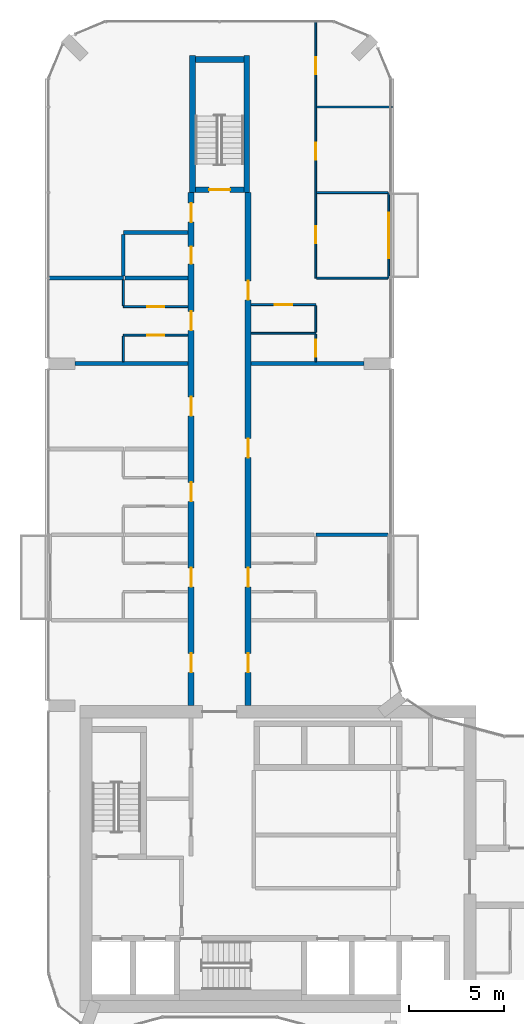
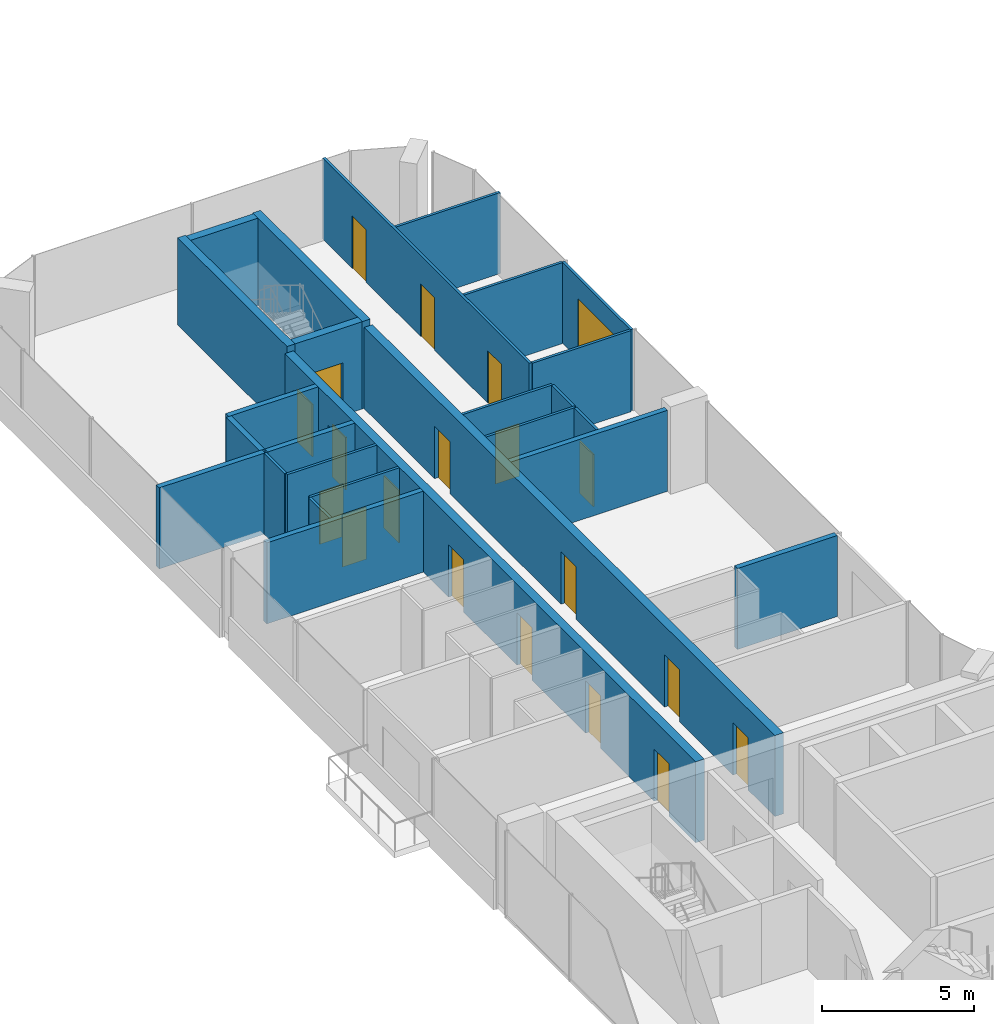
# One storey, part 16 of 22: 26 walls, 20 doors, 20 openings.
"""IFC4 building model written with IfcOpenShell, lengths in metres."""

from ifc_helpers import new_model, si_unit, direction, frame, frame_2d, origin, place, context, subcontext, project, spatial, rectangle, extrude, material, layer, layer_set, type_object, element, fill, save


model = new_model("IFC4")

# Units and contexts
model_context = context("Model", 3, precision=1e-05, world=origin(), true_north=direction((0.0, 1.0)))
body_context = subcontext(model_context, "Body", "Model", "MODEL_VIEW")
ifc_project = project(units=[si_unit("LENGTHUNIT", "METRE"), si_unit("AREAUNIT", "SQUARE_METRE"), si_unit("VOLUMEUNIT", "CUBIC_METRE"), si_unit("PLANEANGLEUNIT", "RADIAN"), si_unit("MASSUNIT", "GRAM", prefix="KILO")], contexts=[model_context])

# Site, building, storey
site_placement = place(None, origin())
site = spatial("IfcSite", under=ifc_project, at=site_placement, CompositionType="ELEMENT")
building_placement = place(site_placement, origin())
building = spatial("IfcBuilding", under=site, at=building_placement, Name="Plateau Cross Towers", CompositionType="ELEMENT")
storey_placement = place(building_placement, frame((0.0, 0.0, 99.300048828125)))
storey = spatial("IfcBuildingStorey", under=building, at=storey_placement, Name="L25", CompositionType="ELEMENT", Elevation=99.300048828125)

# Wall, opening, door
ifc_material_1 = material(Name="Aluminium framed glazing", Category="aluminium")
ifc_layer_1 = layer(ifc_material_1, 0.10009765625)
ifc_layer_set_1 = layer_set([ifc_layer_1], Name="Aluminium framed glazing")
wall_type_1 = type_object("IfcWallType", Name="Balcony screen wall 100", PredefinedType="STANDARD", material=ifc_layer_set_1)
wall_1_placement = place(storey_placement, frame((17.89990234375, 45.0, 0.0), z_axis=(0.0, 0.0, 1.0), x_axis=(0.0, -1.0, 0.0)))
wall_1 = element("IfcWall", 1, at=wall_1_placement, inside=storey, type_object=wall_type_1, Name="Balcony screen wall A-BAL-L25-03", PredefinedType="STANDARD", context=body_context, shape_type="SweptSolid", body=[
    extrude(rectangle(XDim=4.5, YDim=0.10009765625, at=frame_2d((2.25, 0.0))), origin(), (0.0, 0.0, 1.0), 3.25),
])
opening_1_placement = place(wall_1_placement, frame((1.050048828125, 0.0, 0.0)))
opening_1 = element("IfcOpeningElement", 2, at=opening_1_placement, cuts=wall_1, Name="Opening D-B24", PredefinedType="OPENING", context=body_context, shape_type="SweptSolid", body=[
    extrude(rectangle(XDim=2.39990234375, YDim=2.39990234375, at=frame_2d((1.199951171875, 1.199951171875))), frame((0.0, 0.06005859375, 0.0), z_axis=(0.0, -1.0, 0.0), x_axis=(1.0, 0.0, 0.0)), (0.0, 0.0, 1.0), 0.1201171875),
])
ifc_material_2 = material(Name="Aluminium frame, double glazing", Category="aluminium")
door_type_1 = type_object("IfcDoorType", Name="Balcony sliding door 2400", OperationType="NOTDEFINED", PredefinedType="DOOR", material=ifc_material_2)
door_1_placement = place(opening_1_placement, origin())
door_1 = element("IfcDoor", 3, at=door_1_placement, inside=storey, type_object=door_type_1, Name="Balcony door A-BAL-L25-03", OperationType="SINGLE_SWING_LEFT", OverallHeight=2.39990234375, OverallWidth=2.39990234375, PredefinedType="DOOR", context=body_context, shape_type="SweptSolid", body=[
    extrude(rectangle(XDim=2.39990234375, YDim=2.39990234375, at=frame_2d((1.199951171875, 1.199951171875))), frame((0.0, 0.02490234375, 0.0), z_axis=(0.0, -1.0, 0.0), x_axis=(1.0, 0.0, 0.0)), (0.0, 0.0, 1.0), 0.050048828125),
])
fill(opening_1, door_1)

# Wall, openings, doors
ifc_material_3 = material(Name="Concrete C60/75", Category="concrete")
ifc_layer_2 = layer(ifc_material_3, 0.324951171875)
ifc_layer_set_2 = layer_set([ifc_layer_2], Name="Concrete C60/75")
wall_type_2 = type_object("IfcWallType", Name="Corridor wall 325", PredefinedType="SHEAR", material=ifc_layer_set_2)
wall_2_placement = place(storey_placement, frame((7.5, 18.0, 0.0), z_axis=(0.0, 0.0, 1.0), x_axis=(0.0, 1.0, 0.0)))
wall_2 = element("IfcWall", 4, at=wall_2_placement, inside=storey, type_object=wall_type_2, Name="A-cw-W1@L25", PredefinedType="SHEAR", context=body_context, shape_type="SweptSolid", body=[
    extrude(rectangle(XDim=27.0, YDim=0.324951171875, at=frame_2d((13.5, 0.0))), origin(), (0.0, 0.0, 1.0), 3.25),
])
opening_2_placement = place(wall_2_placement, frame((1.75, 0.0, 0.0)))
opening_2 = element("IfcOpeningElement", 5, at=opening_2_placement, cuts=wall_2, Name="Opening 25-10", PredefinedType="OPENING", context=body_context, shape_type="SweptSolid", body=[
    extrude(rectangle(XDim=1.0, YDim=2.10009765625, at=frame_2d((0.5, 1.050048828125))), frame((0.0, 0.17236328125, 0.0), z_axis=(0.0, -1.0, 0.0), x_axis=(1.0, 0.0, 0.0)), (0.0, 0.0, 1.0), 0.344970703125),
])
opening_3_placement = place(wall_2_placement, frame((6.25, 0.0, 0.0)))
opening_3 = element("IfcOpeningElement", 6, at=opening_3_placement, cuts=wall_2, Name="Opening 25-11", PredefinedType="OPENING", context=body_context, shape_type="SweptSolid", body=[
    extrude(rectangle(XDim=1.0, YDim=2.10009765625, at=frame_2d((0.5, 1.050048828125))), frame((0.0, 0.17236328125, 0.0), z_axis=(0.0, -1.0, 0.0), x_axis=(1.0, 0.0, 0.0)), (0.0, 0.0, 1.0), 0.344970703125),
])
opening_4_placement = place(wall_2_placement, frame((10.75, 0.0, 0.0)))
opening_4 = element("IfcOpeningElement", 7, at=opening_4_placement, cuts=wall_2, Name="Opening 25-12", PredefinedType="OPENING", context=body_context, shape_type="SweptSolid", body=[
    extrude(rectangle(XDim=1.0, YDim=2.10009765625, at=frame_2d((0.5, 1.050048828125))), frame((0.0, 0.17236328125, 0.0), z_axis=(0.0, -1.0, 0.0), x_axis=(1.0, 0.0, 0.0)), (0.0, 0.0, 1.0), 0.344970703125),
])
opening_5_placement = place(wall_2_placement, frame((15.25, 0.0, 0.0)))
opening_5 = element("IfcOpeningElement", 8, at=opening_5_placement, cuts=wall_2, Name="Opening 25-13", PredefinedType="OPENING", context=body_context, shape_type="SweptSolid", body=[
    extrude(rectangle(XDim=1.0, YDim=2.10009765625, at=frame_2d((0.5, 1.050048828125))), frame((0.0, 0.17236328125, 0.0), z_axis=(0.0, -1.0, 0.0), x_axis=(1.0, 0.0, 0.0)), (0.0, 0.0, 1.0), 0.344970703125),
])
opening_6_placement = place(wall_2_placement, frame((19.75, 0.0, 0.0)))
opening_6 = element("IfcOpeningElement", 9, at=opening_6_placement, cuts=wall_2, Name="Opening 25-14", PredefinedType="OPENING", context=body_context, shape_type="SweptSolid", body=[
    extrude(rectangle(XDim=1.0, YDim=2.10009765625, at=frame_2d((0.5, 1.050048828125))), frame((0.0, 0.17236328125, 0.0), z_axis=(0.0, -1.0, 0.0), x_axis=(1.0, 0.0, 0.0)), (0.0, 0.0, 1.0), 0.344970703125),
])
opening_7_placement = place(wall_2_placement, frame((23.25, 0.0, 0.0)))
opening_7 = element("IfcOpeningElement", 10, at=opening_7_placement, cuts=wall_2, Name="Opening 25-15", PredefinedType="OPENING", context=body_context, shape_type="SweptSolid", body=[
    extrude(rectangle(XDim=0.89990234375, YDim=2.10009765625, at=frame_2d((0.449951171875, 1.050048828125))), frame((0.0, 0.17236328125, 0.0), z_axis=(0.0, -1.0, 0.0), x_axis=(1.0, 0.0, 0.0)), (0.0, 0.0, 1.0), 0.344970703125),
])
opening_8_placement = place(wall_2_placement, frame((25.449951171875, 0.0, 0.0)))
opening_8 = element("IfcOpeningElement", 11, at=opening_8_placement, cuts=wall_2, Name="Opening 25-16", PredefinedType="OPENING", context=body_context, shape_type="SweptSolid", body=[
    extrude(rectangle(XDim=1.0, YDim=2.10009765625, at=frame_2d((0.5, 1.050048828125))), frame((0.0, 0.17236328125, 0.0), z_axis=(0.0, -1.0, 0.0), x_axis=(1.0, 0.0, 0.0)), (0.0, 0.0, 1.0), 0.344970703125),
])
ifc_material_4 = material(Name="Timber, fire-resisting leaf", Category="wood")
door_type_2 = type_object("IfcDoorType", Name="Flat entrance door 1000", OperationType="NOTDEFINED", PredefinedType="DOOR", material=ifc_material_4)
door_2_placement = place(opening_2_placement, origin())
door_2 = element("IfcDoor", 12, at=door_2_placement, inside=storey, type_object=door_type_2, Name="Door 25-10", OperationType="SINGLE_SWING_LEFT", OverallHeight=2.10009765625, OverallWidth=1.0, PredefinedType="DOOR", context=body_context, shape_type="SweptSolid", body=[
    extrude(rectangle(XDim=1.0, YDim=2.10009765625, at=frame_2d((0.5, 1.050048828125))), frame((0.0, 0.02490234375, 0.0), z_axis=(0.0, -1.0, 0.0), x_axis=(1.0, 0.0, 0.0)), (0.0, 0.0, 1.0), 0.050048828125),
])
fill(opening_2, door_2)
door_3_placement = place(opening_3_placement, origin())
door_3 = element("IfcDoor", 13, at=door_3_placement, inside=storey, type_object=door_type_2, Name="Door 25-11", OperationType="SINGLE_SWING_LEFT", OverallHeight=2.10009765625, OverallWidth=1.0, PredefinedType="DOOR", context=body_context, shape_type="SweptSolid", body=[
    extrude(rectangle(XDim=1.0, YDim=2.10009765625, at=frame_2d((0.5, 1.050048828125))), frame((0.0, 0.02490234375, 0.0), z_axis=(0.0, -1.0, 0.0), x_axis=(1.0, 0.0, 0.0)), (0.0, 0.0, 1.0), 0.050048828125),
])
fill(opening_3, door_3)
door_4_placement = place(opening_4_placement, origin())
door_4 = element("IfcDoor", 14, at=door_4_placement, inside=storey, type_object=door_type_2, Name="Door 25-12", OperationType="SINGLE_SWING_LEFT", OverallHeight=2.10009765625, OverallWidth=1.0, PredefinedType="DOOR", context=body_context, shape_type="SweptSolid", body=[
    extrude(rectangle(XDim=1.0, YDim=2.10009765625, at=frame_2d((0.5, 1.050048828125))), frame((0.0, 0.02490234375, 0.0), z_axis=(0.0, -1.0, 0.0), x_axis=(1.0, 0.0, 0.0)), (0.0, 0.0, 1.0), 0.050048828125),
])
fill(opening_4, door_4)
door_5_placement = place(opening_5_placement, origin())
door_5 = element("IfcDoor", 15, at=door_5_placement, inside=storey, type_object=door_type_2, Name="Door 25-13", OperationType="SINGLE_SWING_RIGHT", OverallHeight=2.10009765625, OverallWidth=1.0, PredefinedType="DOOR", context=body_context, shape_type="SweptSolid", body=[
    extrude(rectangle(XDim=1.0, YDim=2.10009765625, at=frame_2d((0.5, 1.050048828125))), frame((0.0, 0.02490234375, 0.0), z_axis=(0.0, -1.0, 0.0), x_axis=(1.0, 0.0, 0.0)), (0.0, 0.0, 1.0), 0.050048828125),
])
fill(opening_5, door_5)
door_6_placement = place(opening_6_placement, origin())
door_6 = element("IfcDoor", 16, at=door_6_placement, inside=storey, type_object=door_type_2, Name="Door 25-14", OperationType="SINGLE_SWING_RIGHT", OverallHeight=2.10009765625, OverallWidth=1.0, PredefinedType="DOOR", context=body_context, shape_type="SweptSolid", body=[
    extrude(rectangle(XDim=1.0, YDim=2.10009765625, at=frame_2d((0.5, 1.050048828125))), frame((0.0, 0.02490234375, 0.0), z_axis=(0.0, -1.0, 0.0), x_axis=(1.0, 0.0, 0.0)), (0.0, 0.0, 1.0), 0.050048828125),
])
fill(opening_6, door_6)
door_7_placement = place(opening_8_placement, origin())
door_7 = element("IfcDoor", 17, at=door_7_placement, inside=storey, type_object=door_type_2, Name="Door 25-16", OperationType="SINGLE_SWING_RIGHT", OverallHeight=2.10009765625, OverallWidth=1.0, PredefinedType="DOOR", context=body_context, shape_type="SweptSolid", body=[
    extrude(rectangle(XDim=1.0, YDim=2.10009765625, at=frame_2d((0.5, 1.050048828125))), frame((0.0, 0.02490234375, 0.0), z_axis=(0.0, -1.0, 0.0), x_axis=(1.0, 0.0, 0.0)), (0.0, 0.0, 1.0), 0.050048828125),
])
fill(opening_8, door_7)
door_type_3 = type_object("IfcDoorType", Name="Flat floor service door 900", OperationType="NOTDEFINED", PredefinedType="DOOR", material=ifc_material_4)
door_8_placement = place(opening_7_placement, origin())
door_8 = element("IfcDoor", 18, at=door_8_placement, inside=storey, type_object=door_type_3, Name="Door 25-15", OperationType="SINGLE_SWING_RIGHT", OverallHeight=2.10009765625, OverallWidth=0.89990234375, PredefinedType="DOOR", context=body_context, shape_type="SweptSolid", body=[
    extrude(rectangle(XDim=0.89990234375, YDim=2.10009765625, at=frame_2d((0.449951171875, 1.050048828125))), frame((0.0, 0.02490234375, 0.0), z_axis=(0.0, -1.0, 0.0), x_axis=(1.0, 0.0, 0.0)), (0.0, 0.0, 1.0), 0.050048828125),
])
fill(opening_7, door_8)

wall_3_placement = place(storey_placement, frame((10.5, 18.0, 0.0), z_axis=(0.0, 0.0, 1.0), x_axis=(0.0, 1.0, 0.0)))
wall_3 = element("IfcWall", 19, at=wall_3_placement, inside=storey, type_object=wall_type_2, Name="A-cw-W2@L25", PredefinedType="SHEAR", context=body_context, shape_type="SweptSolid", body=[
    extrude(rectangle(XDim=27.0, YDim=0.324951171875, at=frame_2d((13.5, 0.0))), origin(), (0.0, 0.0, 1.0), 3.25),
])
opening_9_placement = place(wall_3_placement, frame((1.75, 0.0, 0.0)))
opening_9 = element("IfcOpeningElement", 20, at=opening_9_placement, cuts=wall_3, Name="Opening 25-17", PredefinedType="OPENING", context=body_context, shape_type="SweptSolid", body=[
    extrude(rectangle(XDim=1.0, YDim=2.10009765625, at=frame_2d((0.5, 1.050048828125))), frame((0.0, 0.17236328125, 0.0), z_axis=(0.0, -1.0, 0.0), x_axis=(1.0, 0.0, 0.0)), (0.0, 0.0, 1.0), 0.344970703125),
])
opening_10_placement = place(wall_3_placement, frame((6.25, 0.0, 0.0)))
opening_10 = element("IfcOpeningElement", 21, at=opening_10_placement, cuts=wall_3, Name="Opening 25-18", PredefinedType="OPENING", context=body_context, shape_type="SweptSolid", body=[
    extrude(rectangle(XDim=1.0, YDim=2.10009765625, at=frame_2d((0.5, 1.050048828125))), frame((0.0, 0.17236328125, 0.0), z_axis=(0.0, -1.0, 0.0), x_axis=(1.0, 0.0, 0.0)), (0.0, 0.0, 1.0), 0.344970703125),
])
opening_11_placement = place(wall_3_placement, frame((13.050048828125, 0.0, 0.0)))
opening_11 = element("IfcOpeningElement", 22, at=opening_11_placement, cuts=wall_3, Name="Opening 25-19", PredefinedType="OPENING", context=body_context, shape_type="SweptSolid", body=[
    extrude(rectangle(XDim=1.0, YDim=2.10009765625, at=frame_2d((0.5, 1.050048828125))), frame((0.0, 0.17236328125, 0.0), z_axis=(0.0, -1.0, 0.0), x_axis=(1.0, 0.0, 0.0)), (0.0, 0.0, 1.0), 0.344970703125),
])
opening_12_placement = place(wall_3_placement, frame((21.35009765625, 0.0, 0.0)))
opening_12 = element("IfcOpeningElement", 23, at=opening_12_placement, cuts=wall_3, Name="Opening 25-20", PredefinedType="OPENING", context=body_context, shape_type="SweptSolid", body=[
    extrude(rectangle(XDim=1.0, YDim=2.10009765625, at=frame_2d((0.5, 1.050048828125))), frame((0.0, 0.17236328125, 0.0), z_axis=(0.0, -1.0, 0.0), x_axis=(1.0, 0.0, 0.0)), (0.0, 0.0, 1.0), 0.344970703125),
])
door_9_placement = place(opening_9_placement, origin())
door_9 = element("IfcDoor", 24, at=door_9_placement, inside=storey, type_object=door_type_2, Name="Door 25-17", OperationType="SINGLE_SWING_LEFT", OverallHeight=2.10009765625, OverallWidth=1.0, PredefinedType="DOOR", context=body_context, shape_type="SweptSolid", body=[
    extrude(rectangle(XDim=1.0, YDim=2.10009765625, at=frame_2d((0.5, 1.050048828125))), frame((0.0, 0.02490234375, 0.0), z_axis=(0.0, -1.0, 0.0), x_axis=(1.0, 0.0, 0.0)), (0.0, 0.0, 1.0), 0.050048828125),
])
fill(opening_9, door_9)
door_10_placement = place(opening_10_placement, origin())
door_10 = element("IfcDoor", 25, at=door_10_placement, inside=storey, type_object=door_type_2, Name="Door 25-18", OperationType="SINGLE_SWING_LEFT", OverallHeight=2.10009765625, OverallWidth=1.0, PredefinedType="DOOR", context=body_context, shape_type="SweptSolid", body=[
    extrude(rectangle(XDim=1.0, YDim=2.10009765625, at=frame_2d((0.5, 1.050048828125))), frame((0.0, 0.02490234375, 0.0), z_axis=(0.0, -1.0, 0.0), x_axis=(1.0, 0.0, 0.0)), (0.0, 0.0, 1.0), 0.050048828125),
])
fill(opening_10, door_10)
door_11_placement = place(opening_11_placement, origin())
door_11 = element("IfcDoor", 26, at=door_11_placement, inside=storey, type_object=door_type_2, Name="Door 25-19", OperationType="SINGLE_SWING_RIGHT", OverallHeight=2.10009765625, OverallWidth=1.0, PredefinedType="DOOR", context=body_context, shape_type="SweptSolid", body=[
    extrude(rectangle(XDim=1.0, YDim=2.10009765625, at=frame_2d((0.5, 1.050048828125))), frame((0.0, 0.02490234375, 0.0), z_axis=(0.0, -1.0, 0.0), x_axis=(1.0, 0.0, 0.0)), (0.0, 0.0, 1.0), 0.050048828125),
])
fill(opening_11, door_11)
door_12_placement = place(opening_12_placement, origin())
door_12 = element("IfcDoor", 27, at=door_12_placement, inside=storey, type_object=door_type_2, Name="Door 25-20", OperationType="SINGLE_SWING_RIGHT", OverallHeight=2.10009765625, OverallWidth=1.0, PredefinedType="DOOR", context=body_context, shape_type="SweptSolid", body=[
    extrude(rectangle(XDim=1.0, YDim=2.10009765625, at=frame_2d((0.5, 1.050048828125))), frame((0.0, 0.02490234375, 0.0), z_axis=(0.0, -1.0, 0.0), x_axis=(1.0, 0.0, 0.0)), (0.0, 0.0, 1.0), 0.050048828125),
])
fill(opening_12, door_12)

# Wall, opening, door
ifc_material_5 = material(Name="Gypsum board on steel studs", Category="steel")
ifc_layer_3 = layer(ifc_material_5, 0.10009765625)
ifc_layer_set_3 = layer_set([ifc_layer_3], Name="Gypsum board on steel studs")
wall_type_3 = type_object("IfcWallType", Name="Flat partition 100", PredefinedType="PARTITIONING", material=ifc_layer_set_3)
wall_4_placement = place(storey_placement, frame((7.33740234375, 37.5, 0.0), z_axis=(0.0, 0.0, 1.0), x_axis=(-1.0, 0.0, 0.0)))
wall_4 = element("IfcWall", 28, at=wall_4_placement, inside=storey, type_object=wall_type_3, Name="Partition wall", PredefinedType="PARTITIONING", context=body_context, shape_type="SweptSolid", body=[
    extrude(rectangle(XDim=3.39990234375, YDim=0.10009765625, at=frame_2d((1.699951171875, 0.0))), origin(), (0.0, 0.0, 1.0), 3.25),
])
opening_13_placement = place(wall_4_placement, frame((1.25, 0.0, 0.0)))
opening_13 = element("IfcOpeningElement", 29, at=opening_13_placement, cuts=wall_4, Name="Opening 25-39", PredefinedType="OPENING", context=body_context, shape_type="SweptSolid", body=[
    extrude(rectangle(XDim=0.89990234375, YDim=2.10009765625, at=frame_2d((0.449951171875, 1.050048828125))), frame((0.0, 0.06005859375, 0.0), z_axis=(0.0, -1.0, 0.0), x_axis=(1.0, 0.0, 0.0)), (0.0, 0.0, 1.0), 0.1201171875),
])
ifc_material_6 = material(Name="Timber leaf", Category="wood")
door_type_4 = type_object("IfcDoorType", Name="Flat room door 900", OperationType="NOTDEFINED", PredefinedType="DOOR", material=ifc_material_6)
door_13_placement = place(opening_13_placement, origin())
door_13 = element("IfcDoor", 30, at=door_13_placement, inside=storey, type_object=door_type_4, Name="Door 25-39", OperationType="SINGLE_SWING_LEFT", OverallHeight=2.10009765625, OverallWidth=0.89990234375, PredefinedType="DOOR", context=body_context, shape_type="SweptSolid", body=[
    extrude(rectangle(XDim=0.89990234375, YDim=2.10009765625, at=frame_2d((0.449951171875, 1.050048828125))), frame((0.0, 0.02490234375, 0.0), z_axis=(0.0, -1.0, 0.0), x_axis=(1.0, 0.0, 0.0)), (0.0, 0.0, 1.0), 0.050048828125),
])
fill(opening_13, door_13)

# Wall
wall_5_placement = place(storey_placement, frame((14.0625, 37.60009765625, 0.0), z_axis=(0.0, 0.0, 1.0), x_axis=(-1.0, 0.0, 0.0)))
element("IfcWall", 31, at=wall_5_placement, inside=storey, type_object=wall_type_3, Name="Partition wall", PredefinedType="PARTITIONING", context=body_context, shape_type="SweptSolid", body=[
    extrude(rectangle(XDim=3.39990234375, YDim=0.10009765625, at=frame_2d((1.699951171875, 0.0))), origin(), (0.0, 0.0, 1.0), 3.25),
])

# Wall, opening, door
wall_6_placement = place(storey_placement, frame((3.9375, 39.0, 0.0), z_axis=(0.0, 0.0, 1.0), x_axis=(1.0, 0.0, 0.0)))
wall_6 = element("IfcWall", 32, at=wall_6_placement, inside=storey, type_object=wall_type_3, Name="Partition wall", PredefinedType="PARTITIONING", context=body_context, shape_type="SweptSolid", body=[
    extrude(rectangle(XDim=3.39990234375, YDim=0.10009765625, at=frame_2d((1.699951171875, 0.0))), origin(), (0.0, 0.0, 1.0), 3.25),
])
opening_14_placement = place(wall_6_placement, frame((1.25, 0.0, 0.0)))
opening_14 = element("IfcOpeningElement", 33, at=opening_14_placement, cuts=wall_6, Name="Opening 25-40", PredefinedType="OPENING", context=body_context, shape_type="SweptSolid", body=[
    extrude(rectangle(XDim=0.89990234375, YDim=2.10009765625, at=frame_2d((0.449951171875, 1.050048828125))), frame((0.0, 0.06005859375, 0.0), z_axis=(0.0, -1.0, 0.0), x_axis=(1.0, 0.0, 0.0)), (0.0, 0.0, 1.0), 0.1201171875),
])
door_14_placement = place(opening_14_placement, origin())
door_14 = element("IfcDoor", 34, at=door_14_placement, inside=storey, type_object=door_type_4, Name="Door 25-40", OperationType="SINGLE_SWING_LEFT", OverallHeight=2.10009765625, OverallWidth=0.89990234375, PredefinedType="DOOR", context=body_context, shape_type="SweptSolid", body=[
    extrude(rectangle(XDim=0.89990234375, YDim=2.10009765625, at=frame_2d((0.449951171875, 1.050048828125))), frame((0.0, 0.02490234375, 0.0), z_axis=(0.0, -1.0, 0.0), x_axis=(1.0, 0.0, 0.0)), (0.0, 0.0, 1.0), 0.050048828125),
])
fill(opening_14, door_14)

wall_7_placement = place(storey_placement, frame((14.0625, 39.10009765625, 0.0), z_axis=(0.0, 0.0, 1.0), x_axis=(-1.0, 0.0, 0.0)))
wall_7 = element("IfcWall", 35, at=wall_7_placement, inside=storey, type_object=wall_type_3, Name="Partition wall", PredefinedType="PARTITIONING", context=body_context, shape_type="SweptSolid", body=[
    extrude(rectangle(XDim=3.39990234375, YDim=0.10009765625, at=frame_2d((1.699951171875, 0.0))), origin(), (0.0, 0.0, 1.0), 3.25),
])
opening_15_placement = place(wall_7_placement, frame((1.25, 0.0, 0.0)))
opening_15 = element("IfcOpeningElement", 36, at=opening_15_placement, cuts=wall_7, Name="Opening 25-44", PredefinedType="OPENING", context=body_context, shape_type="SweptSolid", body=[
    extrude(rectangle(XDim=0.89990234375, YDim=2.10009765625, at=frame_2d((0.449951171875, 1.050048828125))), frame((0.0, 0.06005859375, 0.0), z_axis=(0.0, -1.0, 0.0), x_axis=(1.0, 0.0, 0.0)), (0.0, 0.0, 1.0), 0.1201171875),
])
door_15_placement = place(opening_15_placement, origin())
door_15 = element("IfcDoor", 37, at=door_15_placement, inside=storey, type_object=door_type_4, Name="Door 25-44", OperationType="SINGLE_SWING_LEFT", OverallHeight=2.10009765625, OverallWidth=0.89990234375, PredefinedType="DOOR", context=body_context, shape_type="SweptSolid", body=[
    extrude(rectangle(XDim=0.89990234375, YDim=2.10009765625, at=frame_2d((0.449951171875, 1.050048828125))), frame((0.0, 0.02490234375, 0.0), z_axis=(0.0, -1.0, 0.0), x_axis=(1.0, 0.0, 0.0)), (0.0, 0.0, 1.0), 0.050048828125),
])
fill(opening_15, door_15)

# Walls
for number, where, z_axis, x_axis, name in (
    (38, (14.112548828125, 40.5, 0.0), (0.0, 0.0, 1.0), (1.0, 0.0, 0.0), "Partition wall"),
    (39, (17.85009765625, 45.0, 0.0), (0.0, 0.0, 1.0), (-1.0, 0.0, 0.0), "Partition wall"),
):
    element("IfcWall", number, at=place(storey_placement, frame(where, z_axis=z_axis, x_axis=x_axis)), inside=storey, type_object=wall_type_3, Name=name, PredefinedType="PARTITIONING", context=body_context, shape_type="SweptSolid", body=[
        extrude(rectangle(XDim=3.737548828125, YDim=0.10009765625, at=frame_2d((1.86865234375, 0.0))), origin(), (0.0, 0.0, 1.0), 3.25),
    ])
wall_8_placement = place(storey_placement, frame((18.080078125, 49.5, 0.0), z_axis=(0.0, 0.0, 1.0), x_axis=(-1.0, 0.0, 0.0)))
element("IfcWall", 40, at=wall_8_placement, inside=storey, type_object=wall_type_3, Name="Partition wall", PredefinedType="PARTITIONING", context=body_context, shape_type="SweptSolid", body=[
    extrude(rectangle(XDim=3.967529296875, YDim=0.10009765625, at=frame_2d((1.98388671875, 0.0))), origin(), (0.0, 0.0, 1.0), 3.25),
])
for number, where, z_axis, x_axis, name in (
    (41, (3.9375, 37.449951171875, 0.0), (0.0, 0.0, 1.0), (0.0, -1.0, 0.0), "Partition wall"),
    (42, (3.9375, 40.39990234375, 0.0), (0.0, 0.0, 1.0), (0.0, -1.0, 0.0), "Partition wall"),
):
    element("IfcWall", number, at=place(storey_placement, frame(where, z_axis=z_axis, x_axis=x_axis)), inside=storey, type_object=wall_type_3, Name=name, PredefinedType="PARTITIONING", context=body_context, shape_type="SweptSolid", body=[
        extrude(rectangle(XDim=1.349853515625, YDim=0.10009765625, at=frame_2d((0.6748046875, 0.0))), origin(), (0.0, 0.0, 1.0), 3.25),
    ])

# Wall, openings, doors
wall_9_placement = place(storey_placement, frame((14.0625, 54.080078125, 0.0), z_axis=(0.0, 0.0, 1.0), x_axis=(0.0, -1.0, 0.0)))
wall_9 = element("IfcWall", 43, at=wall_9_placement, inside=storey, type_object=wall_type_3, Name="Partition wall", PredefinedType="PARTITIONING", context=body_context, shape_type="SweptSolid", body=[
    extrude(rectangle(XDim=13.580078125, YDim=0.10009765625, at=frame_2d((6.7900390625, 0.0))), origin(), (0.0, 0.0, 1.0), 3.25),
])
opening_16_placement = place(wall_9_placement, frame((10.85009765625, 0.0, 0.0)))
opening_16 = element("IfcOpeningElement", 44, at=opening_16_placement, cuts=wall_9, Name="Opening 25-45", PredefinedType="OPENING", context=body_context, shape_type="SweptSolid", body=[
    extrude(rectangle(XDim=0.89990234375, YDim=2.10009765625, at=frame_2d((0.449951171875, 1.050048828125))), frame((0.0, 0.06005859375, 0.0), z_axis=(0.0, -1.0, 0.0), x_axis=(1.0, 0.0, 0.0)), (0.0, 0.0, 1.0), 0.1201171875),
])
opening_17_placement = place(wall_9_placement, frame((6.449951171875, 0.0, 0.0)))
opening_17 = element("IfcOpeningElement", 45, at=opening_17_placement, cuts=wall_9, Name="Opening 25-46", PredefinedType="OPENING", context=body_context, shape_type="SweptSolid", body=[
    extrude(rectangle(XDim=0.89990234375, YDim=2.10009765625, at=frame_2d((0.449951171875, 1.050048828125))), frame((0.0, 0.06005859375, 0.0), z_axis=(0.0, -1.0, 0.0), x_axis=(1.0, 0.0, 0.0)), (0.0, 0.0, 1.0), 0.1201171875),
])
opening_18_placement = place(wall_9_placement, frame((1.949951171875, 0.0, 0.0)))
opening_18 = element("IfcOpeningElement", 46, at=opening_18_placement, cuts=wall_9, Name="Opening 25-47", PredefinedType="OPENING", context=body_context, shape_type="SweptSolid", body=[
    extrude(rectangle(XDim=0.89990234375, YDim=2.10009765625, at=frame_2d((0.449951171875, 1.050048828125))), frame((0.0, 0.06005859375, 0.0), z_axis=(0.0, -1.0, 0.0), x_axis=(1.0, 0.0, 0.0)), (0.0, 0.0, 1.0), 0.1201171875),
])
door_16_placement = place(opening_16_placement, origin())
door_16 = element("IfcDoor", 47, at=door_16_placement, inside=storey, type_object=door_type_4, Name="Door 25-45", OperationType="SINGLE_SWING_RIGHT", OverallHeight=2.10009765625, OverallWidth=0.89990234375, PredefinedType="DOOR", context=body_context, shape_type="SweptSolid", body=[
    extrude(rectangle(XDim=0.89990234375, YDim=2.10009765625, at=frame_2d((0.449951171875, 1.050048828125))), frame((0.0, 0.02490234375, 0.0), z_axis=(0.0, -1.0, 0.0), x_axis=(1.0, 0.0, 0.0)), (0.0, 0.0, 1.0), 0.050048828125),
])
fill(opening_16, door_16)
door_17_placement = place(opening_17_placement, origin())
door_17 = element("IfcDoor", 48, at=door_17_placement, inside=storey, type_object=door_type_4, Name="Door 25-46", OperationType="SINGLE_SWING_RIGHT", OverallHeight=2.10009765625, OverallWidth=0.89990234375, PredefinedType="DOOR", context=body_context, shape_type="SweptSolid", body=[
    extrude(rectangle(XDim=0.89990234375, YDim=2.10009765625, at=frame_2d((0.449951171875, 1.050048828125))), frame((0.0, 0.02490234375, 0.0), z_axis=(0.0, -1.0, 0.0), x_axis=(1.0, 0.0, 0.0)), (0.0, 0.0, 1.0), 0.050048828125),
])
fill(opening_17, door_17)
door_18_placement = place(opening_18_placement, origin())
door_18 = element("IfcDoor", 49, at=door_18_placement, inside=storey, type_object=door_type_4, Name="Door 25-47", OperationType="SINGLE_SWING_LEFT", OverallHeight=2.10009765625, OverallWidth=0.89990234375, PredefinedType="DOOR", context=body_context, shape_type="SweptSolid", body=[
    extrude(rectangle(XDim=0.89990234375, YDim=2.10009765625, at=frame_2d((0.449951171875, 1.050048828125))), frame((0.0, 0.02490234375, 0.0), z_axis=(0.0, -1.0, 0.0), x_axis=(1.0, 0.0, 0.0)), (0.0, 0.0, 1.0), 0.050048828125),
])
fill(opening_18, door_18)

# Wall, opening, door
wall_10_placement = place(storey_placement, frame((14.0625, 36.10009765625, 0.0), z_axis=(0.0, 0.0, 1.0), x_axis=(0.0, 1.0, 0.0)))
wall_10 = element("IfcWall", 50, at=wall_10_placement, inside=storey, type_object=wall_type_3, Name="Partition wall", PredefinedType="PARTITIONING", context=body_context, shape_type="SweptSolid", body=[
    extrude(rectangle(XDim=1.449951171875, YDim=0.10009765625, at=frame_2d((0.72509765625, 0.0))), origin(), (0.0, 0.0, 1.0), 3.25),
])
opening_19_placement = place(wall_10_placement, frame((0.25, 0.0, 0.0)))
opening_19 = element("IfcOpeningElement", 51, at=opening_19_placement, cuts=wall_10, Name="Opening 25-43", PredefinedType="OPENING", context=body_context, shape_type="SweptSolid", body=[
    extrude(rectangle(XDim=0.89990234375, YDim=2.10009765625, at=frame_2d((0.449951171875, 1.050048828125))), frame((0.0, 0.06005859375, 0.0), z_axis=(0.0, -1.0, 0.0), x_axis=(1.0, 0.0, 0.0)), (0.0, 0.0, 1.0), 0.1201171875),
])
door_19_placement = place(opening_19_placement, origin())
door_19 = element("IfcDoor", 52, at=door_19_placement, inside=storey, type_object=door_type_4, Name="Door 25-43", OperationType="SINGLE_SWING_LEFT", OverallHeight=2.10009765625, OverallWidth=0.89990234375, PredefinedType="DOOR", context=body_context, shape_type="SweptSolid", body=[
    extrude(rectangle(XDim=0.89990234375, YDim=2.10009765625, at=frame_2d((0.449951171875, 1.050048828125))), frame((0.0, 0.02490234375, 0.0), z_axis=(0.0, -1.0, 0.0), x_axis=(1.0, 0.0, 0.0)), (0.0, 0.0, 1.0), 0.050048828125),
])
fill(opening_19, door_19)

# Walls
wall_11_placement = place(storey_placement, frame((14.0625, 37.64990234375, 0.0), z_axis=(0.0, 0.0, 1.0), x_axis=(0.0, 1.0, 0.0)))
element("IfcWall", 53, at=wall_11_placement, inside=storey, type_object=wall_type_3, Name="Partition wall", PredefinedType="PARTITIONING", context=body_context, shape_type="SweptSolid", body=[
    extrude(rectangle(XDim=1.400146484375, YDim=0.10009765625, at=frame_2d((0.7001953125, 0.0))), origin(), (0.0, 0.0, 1.0), 3.25),
])
ifc_material_7 = material(Name="Gypsum board on steel studs, two layers each side", Category="steel")
ifc_layer_4 = layer(ifc_material_7, 0.199951171875)
ifc_layer_set_4 = layer_set([ifc_layer_4], Name="Gypsum board on steel studs, two layers each side")
wall_type_4 = type_object("IfcWallType", Name="Flat party wall 200", PredefinedType="PARTITIONING", material=ifc_layer_set_4)
wall_12_placement = place(storey_placement, frame((14.0625, 27.0, 0.0), z_axis=(0.0, 0.0, 1.0), x_axis=(1.0, 0.0, 0.0)))
element("IfcWall", 54, at=wall_12_placement, inside=storey, type_object=wall_type_4, Name="Party wall", PredefinedType="PARTITIONING", context=body_context, shape_type="SweptSolid", body=[
    extrude(rectangle(XDim=3.78759765625, YDim=0.199951171875, at=frame_2d((1.893798828125, 0.0))), origin(), (0.0, 0.0, 1.0), 3.25),
])
for number, where, z_axis, x_axis, name in (
    (55, (7.33740234375, 36.0, 0.0), (0.0, 0.0, 1.0), (-1.0, 0.0, 0.0), "Party wall"),
    (56, (16.60009765625, 36.0, 0.0), (0.0, 0.0, 1.0), (-1.0, 0.0, 0.0), "Party wall"),
):
    element("IfcWall", number, at=place(storey_placement, frame(where, z_axis=z_axis, x_axis=x_axis)), inside=storey, type_object=wall_type_4, Name=name, PredefinedType="PARTITIONING", context=body_context, shape_type="SweptSolid", body=[
        extrude(rectangle(XDim=5.9375, YDim=0.199951171875, at=frame_2d((2.96875, 0.0))), origin(), (0.0, 0.0, 1.0), 3.25),
    ])
wall_13_placement = place(storey_placement, frame((7.33740234375, 40.5, 0.0), z_axis=(0.0, 0.0, 1.0), x_axis=(-1.0, 0.0, 0.0)))
element("IfcWall", 57, at=wall_13_placement, inside=storey, type_object=wall_type_4, Name="Party wall", PredefinedType="PARTITIONING", context=body_context, shape_type="SweptSolid", body=[
    extrude(rectangle(XDim=3.2998046875, YDim=0.199951171875, at=frame_2d((1.64990234375, 0.0))), origin(), (0.0, 0.0, 1.0), 3.25),
])
wall_14_placement = place(storey_placement, frame((-0.080078125, 40.5, 0.0), z_axis=(0.0, 0.0, 1.0), x_axis=(1.0, 0.0, 0.0)))
element("IfcWall", 58, at=wall_14_placement, inside=storey, type_object=wall_type_4, Name="Party wall", PredefinedType="PARTITIONING", context=body_context, shape_type="SweptSolid", body=[
    extrude(rectangle(XDim=4.017578125, YDim=0.199951171875, at=frame_2d((2.0087890625, 0.0))), origin(), (0.0, 0.0, 1.0), 3.25),
])
wall_15_placement = place(storey_placement, frame((7.33740234375, 42.89990234375, 0.0), z_axis=(0.0, 0.0, 1.0), x_axis=(-1.0, 0.0, 0.0)))
element("IfcWall", 59, at=wall_15_placement, inside=storey, type_object=wall_type_4, Name="Party wall", PredefinedType="PARTITIONING", context=body_context, shape_type="SweptSolid", body=[
    extrude(rectangle(XDim=3.39990234375, YDim=0.199951171875, at=frame_2d((1.699951171875, 0.0))), origin(), (0.0, 0.0, 1.0), 3.25),
])
wall_16_placement = place(storey_placement, frame((3.9375, 42.800048828125, 0.0), z_axis=(0.0, 0.0, 1.0), x_axis=(0.0, -1.0, 0.0)))
element("IfcWall", 60, at=wall_16_placement, inside=storey, type_object=wall_type_4, Name="Party wall", PredefinedType="PARTITIONING", context=body_context, shape_type="SweptSolid", body=[
    extrude(rectangle(XDim=2.199951171875, YDim=0.199951171875, at=frame_2d((1.10009765625, 0.0))), origin(), (0.0, 0.0, 1.0), 3.25),
])

# Wall, opening, door
ifc_layer_5 = layer(ifc_material_3, 0.300048828125)
ifc_layer_set_5 = layer_set([ifc_layer_5], Name="Concrete C60/75")
wall_type_5 = type_object("IfcWallType", Name="Stair tower wall 300", PredefinedType="SHEAR", material=ifc_layer_set_5)
wall_17_placement = place(storey_placement, frame((7.72509765625, 45.14990234375, 0.0), z_axis=(0.0, 0.0, 1.0), x_axis=(1.0, 0.0, 0.0)))
wall_17 = element("IfcWall", 61, at=wall_17_placement, inside=storey, type_object=wall_type_5, Name="A-end-N-S@L25", PredefinedType="SHEAR", context=body_context, shape_type="SweptSolid", body=[
    extrude(rectangle(XDim=2.5498046875, YDim=0.300048828125, at=frame_2d((1.27490234375, 0.0))), origin(), (0.0, 0.0, 1.0), 3.5),
])
opening_20_placement = place(wall_17_placement, frame((0.72509765625, 0.0, 0.0)))
opening_20 = element("IfcOpeningElement", 62, at=opening_20_placement, cuts=wall_17, Name="Opening SD", PredefinedType="OPENING", context=body_context, shape_type="SweptSolid", body=[
    extrude(rectangle(XDim=1.10009765625, YDim=2.10009765625, at=frame_2d((0.550048828125, 1.050048828125))), frame((0.0, 0.159912109375, 0.0), z_axis=(0.0, -1.0, 0.0), x_axis=(1.0, 0.0, 0.0)), (0.0, 0.0, 1.0), 0.320068359375),
])
ifc_material_8 = material(Name="Steel, fire-resisting leaf", Category="steel")
door_type_5 = type_object("IfcDoorType", Name="Stair door 1100", OperationType="NOTDEFINED", PredefinedType="DOOR", material=ifc_material_8)
door_20_placement = place(opening_20_placement, origin())
door_20 = element("IfcDoor", 63, at=door_20_placement, inside=storey, type_object=door_type_5, Name="Stair door SD", OperationType="SINGLE_SWING_LEFT", OverallHeight=2.10009765625, OverallWidth=1.10009765625, PredefinedType="DOOR", context=body_context, shape_type="SweptSolid", body=[
    extrude(rectangle(XDim=1.10009765625, YDim=2.10009765625, at=frame_2d((0.550048828125, 1.050048828125))), frame((0.0, 0.02490234375, 0.0), z_axis=(0.0, -1.0, 0.0), x_axis=(1.0, 0.0, 0.0)), (0.0, 0.0, 1.0), 0.050048828125),
])
fill(opening_20, door_20)

# Walls
wall_18_placement = place(storey_placement, frame((7.72509765625, 52.0, 0.0), z_axis=(0.0, 0.0, 1.0), x_axis=(1.0, 0.0, 0.0)))
element("IfcWall", 64, at=wall_18_placement, inside=storey, type_object=wall_type_5, Name="A-end-N-N@L25", PredefinedType="SHEAR", context=body_context, shape_type="SweptSolid", body=[
    extrude(rectangle(XDim=2.5498046875, YDim=0.300048828125, at=frame_2d((1.27490234375, 0.0))), origin(), (0.0, 0.0, 1.0), 3.5),
])
for number, where, z_axis, x_axis, name in (
    (65, (7.574951171875, 45.0, 0.0), (0.0, 0.0, 1.0), (0.0, 1.0, 0.0), "A-end-N-W@L25"),
    (66, (10.425048828125, 45.0, 0.0), (0.0, 0.0, 1.0), (0.0, 1.0, 0.0), "A-end-N-E@L25"),
):
    element("IfcWall", number, at=place(storey_placement, frame(where, z_axis=z_axis, x_axis=x_axis)), inside=storey, type_object=wall_type_5, Name=name, PredefinedType="SHEAR", context=body_context, shape_type="SweptSolid", body=[
        extrude(rectangle(XDim=7.199951171875, YDim=0.300048828125, at=frame_2d((3.60009765625, 0.0))), origin(), (0.0, 0.0, 1.0), 3.5),
    ])

save(model, "model.ifc")
